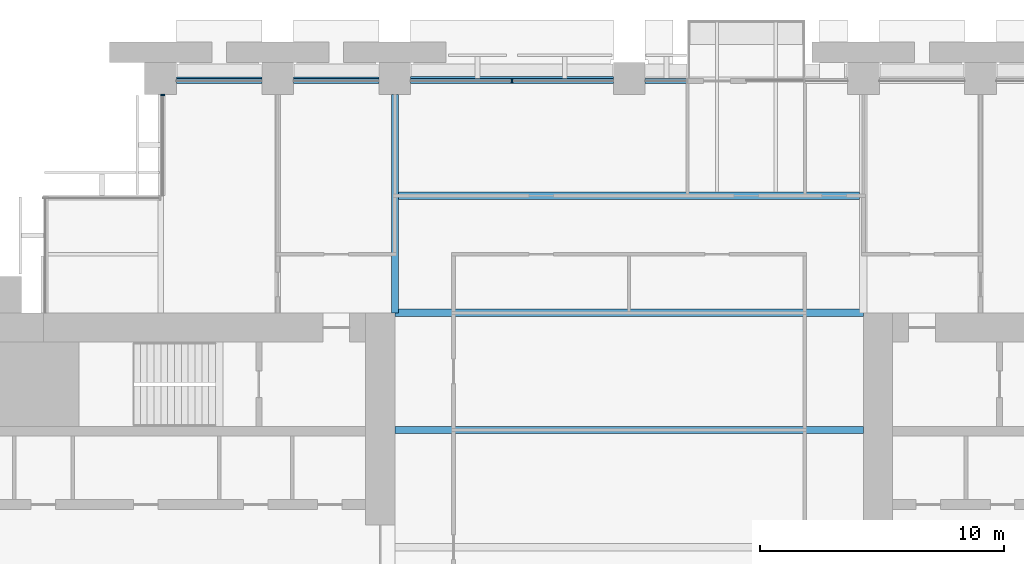
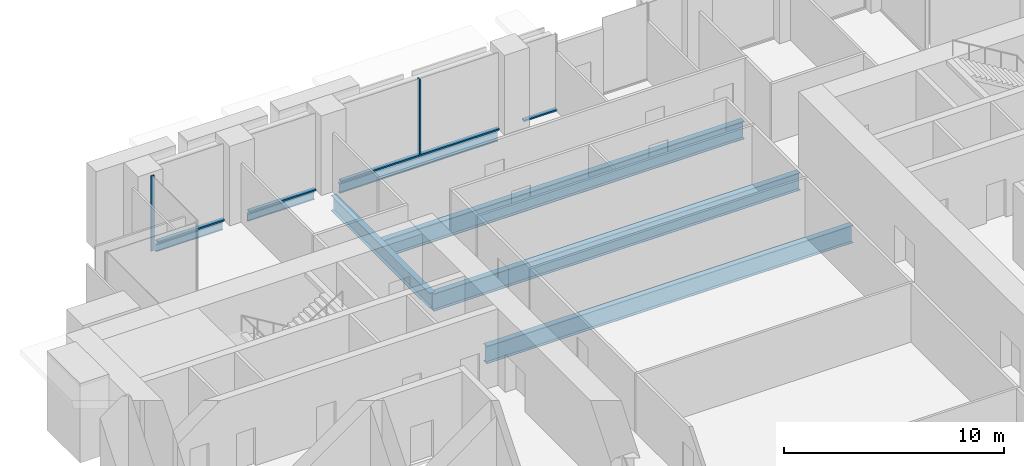
# One storey, part 6 of 15: 7 beams, 6 members, 2 elements without a shape of their own.
"""IFC4 building model written with IfcOpenShell, lengths in metres."""

from ifc_helpers import new_model, si_unit, direction, frame, origin, origin_2d, place, context, subcontext, project, spatial, rectangle, i_section, extrude, material, material_profile, profile_set, type_object, element, aggregate, save


model = new_model("IFC4")

# Units and contexts
model_context = context("Model", 3, precision=1e-05, world=origin(), true_north=direction((0.0, 1.0)))
body_context = subcontext(model_context, "Body", "Model", "MODEL_VIEW")
ifc_project = project(units=[si_unit("LENGTHUNIT", "METRE"), si_unit("AREAUNIT", "SQUARE_METRE"), si_unit("VOLUMEUNIT", "CUBIC_METRE"), si_unit("PLANEANGLEUNIT", "RADIAN"), si_unit("MASSUNIT", "GRAM", prefix="KILO")], contexts=[model_context])

# Site, building, storey
site_placement = place(None, origin())
site = spatial("IfcSite", under=ifc_project, at=site_placement, CompositionType="ELEMENT")
building_placement = place(site_placement, origin())
building = spatial("IfcBuilding", under=site, at=building_placement, Name="Baori Bourse Tower", CompositionType="ELEMENT")
storey_placement = place(building_placement, frame((0.0, 0.0, 34.60009765625)))
storey = spatial("IfcBuildingStorey", under=building, at=storey_placement, Name="L06", CompositionType="ELEMENT", Elevation=34.60009765625)

# Curtain wall, members
ifc_material_1 = material(Name="Pale anodised aluminium", Category="aluminium")
curtain_wall_type_1 = type_object("IfcCurtainWallType", Name="CW1 Curtain wall", PredefinedType="NOTDEFINED", material=ifc_material_1)
curtain_wall_1_placement = place(storey_placement, origin())
curtain_wall_1 = element("IfcCurtainWall", 1, at=curtain_wall_1_placement, inside=storey, type_object=curtain_wall_type_1, Name="Curtain wall CW1 L06 6", PredefinedType="NOTDEFINED")
ifc_material_2 = material(Name="Pale anodised aluminium", Category="aluminium")
ifc_material_profile_1 = material_profile(ifc_material_2, rectangle(XDim=0.199951171875, YDim=0.06005859375, at=origin_2d()), Name="Mullion 60x200")
ifc_profile_set_1 = profile_set([ifc_material_profile_1], Name="Pale anodised aluminium")
member_type_1 = type_object("IfcMemberType", Name="CW1 Curtain wall mullion", PredefinedType="MULLION", material=ifc_profile_set_1)
member_1_placement = place(storey_placement, frame((24.0, 47.89990234375, 0.079833984375), z_axis=(0.0, 0.0, 1.0), x_axis=(0.0, -1.0, 0.0)))
member_1 = element("IfcMember", 2, at=member_1_placement, type_object=member_type_1, Name="Curtain wall CW1 mullion", PredefinedType="MULLION", context=body_context, shape_type="SweptSolid", body=[
    extrude(rectangle(XDim=0.199951171875, YDim=0.06005859375, at=origin_2d()), origin(), (0.0, 0.0, 1.0), 4.16015625),
])
ifc_material_3 = material(Name="Pale anodised aluminium", Category="aluminium")
ifc_material_profile_2 = material_profile(ifc_material_3, rectangle(XDim=0.199951171875, YDim=0.080078125, at=origin_2d()), Name="Transom 80x200")
ifc_profile_set_2 = profile_set([ifc_material_profile_2], Name="Pale anodised aluminium")
member_type_2 = type_object("IfcMemberType", Name="CW1 Curtain wall transom", PredefinedType="USERDEFINED", material=ifc_profile_set_2)
member_2_placement = place(storey_placement, frame((31.199951171875, 47.89990234375, 0.039794921875), z_axis=(-1.0, 0.0, 0.0), x_axis=(0.0, -1.0, 0.0)))
member_2 = element("IfcMember", 3, at=member_2_placement, type_object=member_type_2, Name="Curtain wall CW1 sill rail", ObjectType="TRANSOM", PredefinedType="USERDEFINED", context=body_context, shape_type="SweptSolid", body=[
    extrude(rectangle(XDim=0.199951171875, YDim=0.080078125, at=origin_2d()), origin(), (0.0, 0.0, 1.0), 1.75),
])
member_3_placement = place(storey_placement, frame((28.14990234375, 47.89990234375, 0.039794921875), z_axis=(-1.0, 0.0, 0.0), x_axis=(0.0, -1.0, 0.0)))
member_3 = element("IfcMember", 4, at=member_3_placement, type_object=member_type_2, Name="Curtain wall CW1 sill rail", ObjectType="TRANSOM", PredefinedType="USERDEFINED", context=body_context, shape_type="SweptSolid", body=[
    extrude(rectangle(XDim=0.199951171875, YDim=0.080078125, at=origin_2d()), origin(), (0.0, 0.0, 1.0), 8.2998046875),
])
member_4_placement = place(storey_placement, frame((18.550048828125, 47.89990234375, 0.039794921875), z_axis=(-1.0, 0.0, 0.0), x_axis=(0.0, -1.0, 0.0)))
member_4 = element("IfcMember", 5, at=member_4_placement, type_object=member_type_2, Name="Curtain wall CW1 sill rail", ObjectType="TRANSOM", PredefinedType="USERDEFINED", context=body_context, shape_type="SweptSolid", body=[
    extrude(rectangle(XDim=0.199951171875, YDim=0.080078125, at=origin_2d()), origin(), (0.0, 0.0, 1.0), 3.5),
])
member_5_placement = place(storey_placement, frame((13.75, 47.89990234375, 0.039794921875), z_axis=(-1.0, 0.0, 0.0), x_axis=(0.0, -1.0, 0.0)))
member_5 = element("IfcMember", 6, at=member_5_placement, type_object=member_type_2, Name="Curtain wall CW1 sill rail", ObjectType="TRANSOM", PredefinedType="USERDEFINED", context=body_context, shape_type="SweptSolid", body=[
    extrude(rectangle(XDim=0.199951171875, YDim=0.080078125, at=origin_2d()), origin(), (0.0, 0.0, 1.0), 3.5),
])
aggregate(curtain_wall_1, [member_2, member_3, member_1, member_4, member_5])

# Curtain wall, member
ifc_material_4 = material(Name="Pale anodised aluminium", Category="aluminium")
curtain_wall_type_2 = type_object("IfcCurtainWallType", Name="CW2 Curtain wall", PredefinedType="NOTDEFINED", material=ifc_material_4)
curtain_wall_2_placement = place(storey_placement, origin())
curtain_wall_2 = element("IfcCurtainWall", 7, at=curtain_wall_2_placement, inside=storey, type_object=curtain_wall_type_2, Name="Curtain wall CW2 L06 7", PredefinedType="NOTDEFINED")
ifc_material_5 = material(Name="Pale anodised aluminium", Category="aluminium")
ifc_material_profile_3 = material_profile(ifc_material_5, rectangle(XDim=0.179931640625, YDim=0.054931640625, at=origin_2d()), Name="Mullion 55x180")
ifc_profile_set_3 = profile_set([ifc_material_profile_3], Name="Pale anodised aluminium")
member_type_3 = type_object("IfcMemberType", Name="CW2 Curtain wall mullion", PredefinedType="MULLION", material=ifc_profile_set_3)
member_6_placement = place(storey_placement, frame((9.68994140625, 47.322509765625, 0.06982421875), z_axis=(0.0, 0.0, 1.0), x_axis=(1.0, 0.0, 0.0)))
member_6 = element("IfcMember", 8, at=member_6_placement, type_object=member_type_3, Name="Curtain wall CW2 mullion", PredefinedType="MULLION", context=body_context, shape_type="SweptSolid", body=[
    extrude(rectangle(XDim=0.179931640625, YDim=0.054931640625, at=origin_2d()), origin(), (0.0, 0.0, 1.0), 4.170166015625),
])
aggregate(curtain_wall_2, [member_6])

# Beams
ifc_material_6 = material(Name="Steel A992 Gr 50", Category="steel")
ifc_material_profile_4 = material_profile(ifc_material_6, i_section(OverallWidth=0.140380859375, OverallDepth=0.40380859375, WebThickness=0.007080078125, FlangeThickness=0.01123046875, at=origin_2d()), Name="W16x31")
ifc_profile_set_4 = profile_set([ifc_material_profile_4], Name="Steel A992 Gr 50")
beam_type_1 = type_object("IfcBeamType", Name="Edge beam W16x31", PredefinedType="BEAM", material=ifc_profile_set_4)
for number, where, z_axis, x_axis, name in (
    (9, (10.25, 48.0, -0.362060546875), (1.0, 0.0, 0.0), (0.0, 1.0, 0.0), "Edge beam L06"),
    (10, (15.050048828125, 48.0, -0.362060546875), (1.0, 0.0, 0.0), (0.0, 1.0, 0.0), "Edge beam L06"),
):
    element("IfcBeam", number, at=place(storey_placement, frame(where, z_axis=z_axis, x_axis=x_axis)), inside=storey, type_object=beam_type_1, Name=name, PredefinedType="BEAM", context=body_context, shape_type="SweptSolid", body=[
        extrude(i_section(OverallWidth=0.140380859375, OverallDepth=0.40380859375, WebThickness=0.007080078125, FlangeThickness=0.01123046875, at=origin_2d()), origin(), (0.0, 0.0, 1.0), 3.5),
    ])
ifc_material_7 = material(Name="Steel A992 Gr 50", Category="steel")
ifc_material_profile_5 = material_profile(ifc_material_7, i_section(OverallWidth=0.1650390625, OverallDepth=0.52587890625, WebThickness=0.0087890625, FlangeThickness=0.011474609375, at=origin_2d()), Name="W21x44")
ifc_profile_set_5 = profile_set([ifc_material_profile_5], Name="Steel A992 Gr 50")
beam_type_2 = type_object("IfcBeamType", Name="Edge beam W21x44", PredefinedType="BEAM", material=ifc_profile_set_5)
beam_1_placement = place(storey_placement, frame((19.85009765625, 48.0, -0.423095703125), z_axis=(1.0, 0.0, 0.0), x_axis=(0.0, 1.0, 0.0)))
element("IfcBeam", 11, at=beam_1_placement, inside=storey, type_object=beam_type_2, Name="Edge beam L06", PredefinedType="BEAM", context=body_context, shape_type="SweptSolid", body=[
    extrude(i_section(OverallWidth=0.1650390625, OverallDepth=0.52587890625, WebThickness=0.0087890625, FlangeThickness=0.011474609375, at=origin_2d()), origin(), (0.0, 0.0, 1.0), 8.2998046875),
])
ifc_material_8 = material(Name="Steel A992 Gr 50", Category="steel")
ifc_material_profile_6 = material_profile(ifc_material_8, i_section(OverallWidth=0.2998046875, OverallDepth=0.97021484375, WebThickness=0.01611328125, FlangeThickness=0.02099609375, at=origin_2d()), Name="W40x149")
ifc_profile_set_6 = profile_set([ifc_material_profile_6], Name="Steel A992 Gr 50")
beam_type_3 = type_object("IfcBeamType", Name="Floor beam W40x149", PredefinedType="BEAM", material=ifc_profile_set_6)
for number, where, z_axis, x_axis, name in (
    (12, (19.199951171875, 33.60009765625, -0.645263671875), (1.0, 0.0, 0.0), (0.0, 1.0, 0.0), "Floor beam L06"),
    (13, (19.199951171875, 38.39990234375, -0.645263671875), (1.0, 0.0, 0.0), (0.0, 1.0, 0.0), "Floor beam L06"),
):
    element("IfcBeam", number, at=place(storey_placement, frame(where, z_axis=z_axis, x_axis=x_axis)), inside=storey, type_object=beam_type_3, Name=name, PredefinedType="BEAM", context=body_context, shape_type="SweptSolid", body=[
        extrude(i_section(OverallWidth=0.2998046875, OverallDepth=0.97021484375, WebThickness=0.01611328125, FlangeThickness=0.02099609375, at=origin_2d()), origin(), (0.0, 0.0, 1.0), 19.199951171875),
    ])
ifc_material_9 = material(Name="Steel A992 Gr 50", Category="steel")
ifc_material_profile_7 = material_profile(ifc_material_9, i_section(OverallWidth=0.2998046875, OverallDepth=0.990478515625, WebThickness=0.0166015625, FlangeThickness=0.030517578125, at=origin_2d()), Name="W40x183")
ifc_profile_set_7 = profile_set([ifc_material_profile_7], Name="Steel A992 Gr 50")
beam_type_4 = type_object("IfcBeamType", Name="Floor beam W40x183", PredefinedType="BEAM", material=ifc_profile_set_7)
beam_2_placement = place(storey_placement, frame((19.345947265625, 43.199951171875, -0.655517578125), z_axis=(1.0, 0.0, 0.0), x_axis=(0.0, 1.0, 0.0)))
element("IfcBeam", 14, at=beam_2_placement, inside=storey, type_object=beam_type_4, Name="Floor beam L06", PredefinedType="BEAM", context=body_context, shape_type="SweptSolid", body=[
    extrude(i_section(OverallWidth=0.2998046875, OverallDepth=0.990478515625, WebThickness=0.0166015625, FlangeThickness=0.030517578125, at=origin_2d()), origin(), (0.0, 0.0, 1.0), 18.901611328125),
])
ifc_material_10 = material(Name="Steel A992 Gr 50", Category="steel")
ifc_material_profile_8 = material_profile(ifc_material_10, i_section(OverallWidth=0.2919921875, OverallDepth=0.835693359375, WebThickness=0.013916015625, FlangeThickness=0.018798828125, at=origin_2d()), Name="W33x118")
ifc_profile_set_8 = profile_set([ifc_material_profile_8], Name="Steel A992 Gr 50")
beam_type_5 = type_object("IfcBeamType", Name="Girder W33x118", PredefinedType="BEAM", material=ifc_profile_set_8)
beam_3_placement = place(storey_placement, frame((19.199951171875, 38.39990234375, -0.577880859375), z_axis=(0.0, 1.0, 0.0), x_axis=(-1.0, 0.0, 0.0)))
element("IfcBeam", 15, at=beam_3_placement, inside=storey, type_object=beam_type_5, Name="Girder L06", PredefinedType="BEAM", context=body_context, shape_type="SweptSolid", body=[
    extrude(i_section(OverallWidth=0.2919921875, OverallDepth=0.835693359375, WebThickness=0.013916015625, FlangeThickness=0.018798828125, at=origin_2d()), origin(), (0.0, 0.0, 1.0), 8.9501953125),
])

save(model, "model.ifc")
